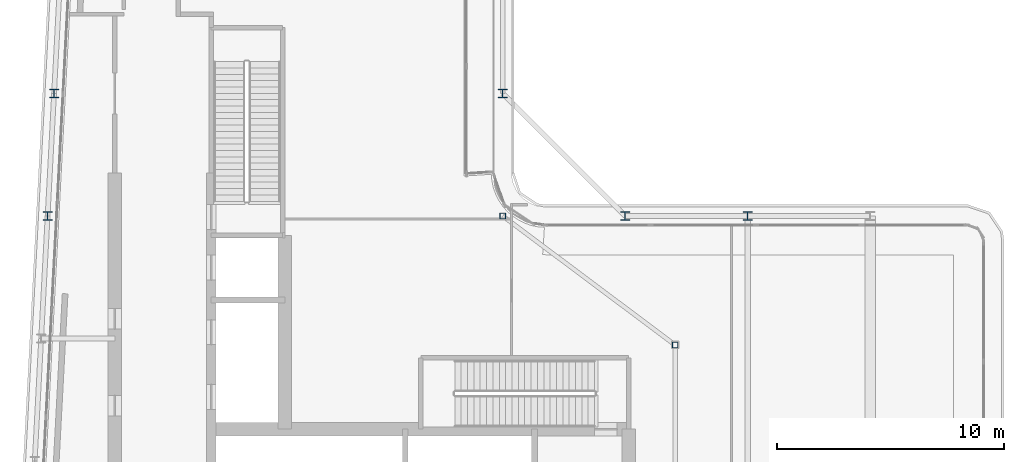
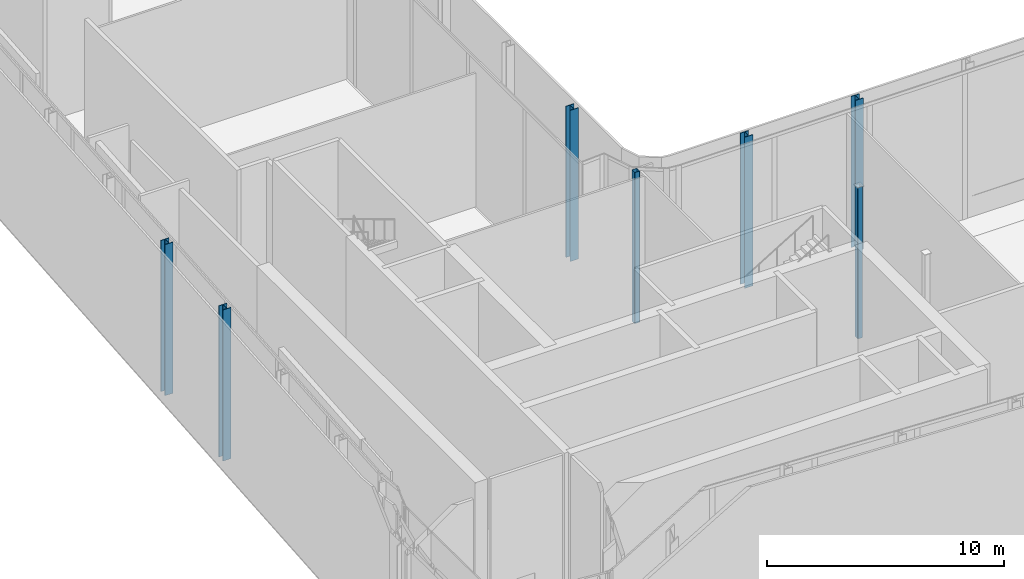
# One storey, part 2 of 28: 7 columns.
"""IFC4 building model written with IfcOpenShell, lengths in metres."""

from ifc_helpers import new_model, si_unit, direction, frame, origin, origin_2d, place, context, subcontext, project, spatial, hollow_rectangle, i_section, extrude, material, material_profile, profile_set, type_object, element, save


model = new_model("IFC4")

# Units and contexts
model_context = context("Model", 3, precision=1e-05, world=origin(), true_north=direction((0.0, 1.0)))
body_context = subcontext(model_context, "Body", "Model", "MODEL_VIEW")
ifc_project = project(units=[si_unit("LENGTHUNIT", "METRE"), si_unit("AREAUNIT", "SQUARE_METRE"), si_unit("VOLUMEUNIT", "CUBIC_METRE"), si_unit("PLANEANGLEUNIT", "RADIAN"), si_unit("MASSUNIT", "GRAM", prefix="KILO")], contexts=[model_context])

# Site, building, storey
site_placement = place(None, origin())
site = spatial("IfcSite", under=ifc_project, at=site_placement, CompositionType="ELEMENT")
building_placement = place(site_placement, origin())
building = spatial("IfcBuilding", under=site, at=building_placement, Name="Kheshtan School and Residences Tower", CompositionType="ELEMENT")
storey_placement = place(building_placement, frame((0.0, 0.0, 325.39990234375)))
storey = spatial("IfcBuildingStorey", under=building, at=storey_placement, Name="L77", CompositionType="ELEMENT", Elevation=325.39990234375)

# Columns
ifc_material_1 = material(Name="Steel ASTM A992 Grade 50", Category="steel")
ifc_material_profile_1 = material_profile(ifc_material_1, i_section(OverallWidth=0.39501953125, OverallDepth=0.3798828125, WebThickness=0.018798828125, FlangeThickness=0.0302734375, FilletRadius=0.011474609375, at=origin_2d()), Name="W360x237")
ifc_profile_set_1 = profile_set([ifc_material_profile_1], Name="Steel ASTM A992 Grade 50")
column_type_1 = type_object("IfcColumnType", Name="Column C5 W360x237 ASTM A992 Grade 50", PredefinedType="COLUMN", material=ifc_profile_set_1)
for number, where, z_axis, x_axis, name in (
    (1, (27.537109375, 45.60009765625, 0.0), (0.0, 0.0, 1.0), (1.0, 0.0, 0.0), "Column C059"),
    (2, (53.0, 45.60009765625, 0.0), (0.0, 0.0, 1.0), (1.0, 0.0, 0.0), "Column C061"),
    (3, (58.39990234375, 45.60009765625, 0.0), (0.0, 0.0, 1.0), (1.0, 0.0, 0.0), "Column C062"),
    (4, (27.822021484375, 51.0, 0.0), (0.0, 0.0, 1.0), (1.0, 0.0, 0.0), "Column C078"),
    (5, (47.60009765625, 51.0, 0.0), (0.0, 0.0, 1.0), (1.0, 0.0, 0.0), "Column C079"),
):
    element("IfcColumn", number, at=place(storey_placement, frame(where, z_axis=z_axis, x_axis=x_axis)), inside=storey, type_object=column_type_1, Name=name, PredefinedType="COLUMN", context=body_context, shape_type="SweptSolid", body=[
        extrude(i_section(OverallWidth=0.39501953125, OverallDepth=0.3798828125, WebThickness=0.018798828125, FlangeThickness=0.0302734375, FilletRadius=0.011474609375, at=origin_2d()), origin(), (0.0, 0.0, 1.0), 7.800048828125),
    ])
ifc_material_2 = material(Name="Steel ASTM A500 Grade C", Category="steel")
ifc_material_profile_2 = material_profile(ifc_material_2, hollow_rectangle(XDim=0.25390625, YDim=0.25390625, WallThickness=0.0126953125, InnerFilletRadius=0.0126953125, OuterFilletRadius=0.025390625, at=origin_2d()), Name="HSS 254x254x12.7")
ifc_profile_set_2 = profile_set([ifc_material_profile_2], Name="Steel ASTM A500 Grade C")
column_type_2 = type_object("IfcColumnType", Name="Column IC3 HSS 254x254x12.7 ASTM A500 Grade C", PredefinedType="COLUMN", material=ifc_profile_set_2)
for number, where, z_axis, x_axis, name in (
    (6, (55.199951171875, 39.916015625, 0.0), (0.0, 0.0, 1.0), (1.0, 0.0, 0.0), "Column C055"),
    (7, (47.60009765625, 45.60009765625, 0.0), (0.0, 0.0, 1.0), (1.0, 0.0, 0.0), "Column C060"),
):
    element("IfcColumn", number, at=place(storey_placement, frame(where, z_axis=z_axis, x_axis=x_axis)), inside=storey, type_object=column_type_2, Name=name, PredefinedType="COLUMN", context=body_context, shape_type="SweptSolid", body=[
        extrude(hollow_rectangle(XDim=0.25390625, YDim=0.25390625, WallThickness=0.0126953125, InnerFilletRadius=0.0126953125, OuterFilletRadius=0.025390625, at=origin_2d()), origin(), (0.0, 0.0, 1.0), 7.800048828125),
    ])

save(model, "model.ifc")
